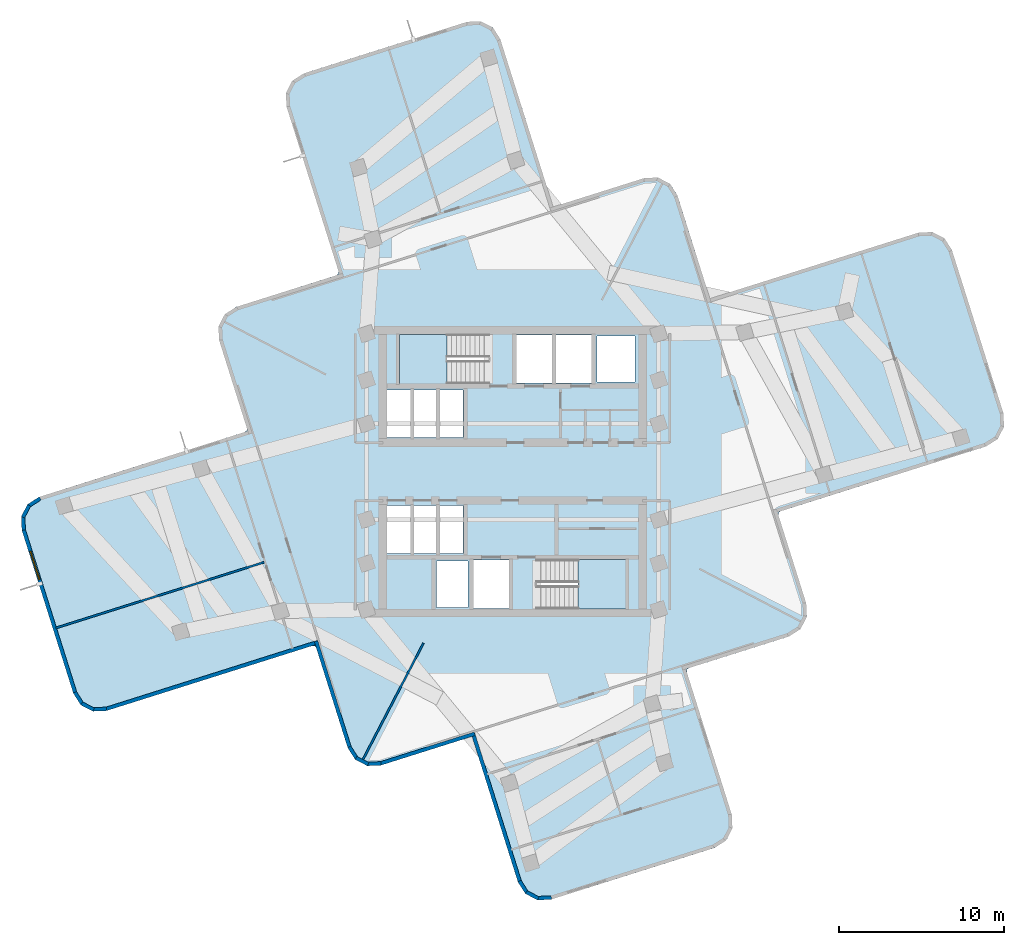
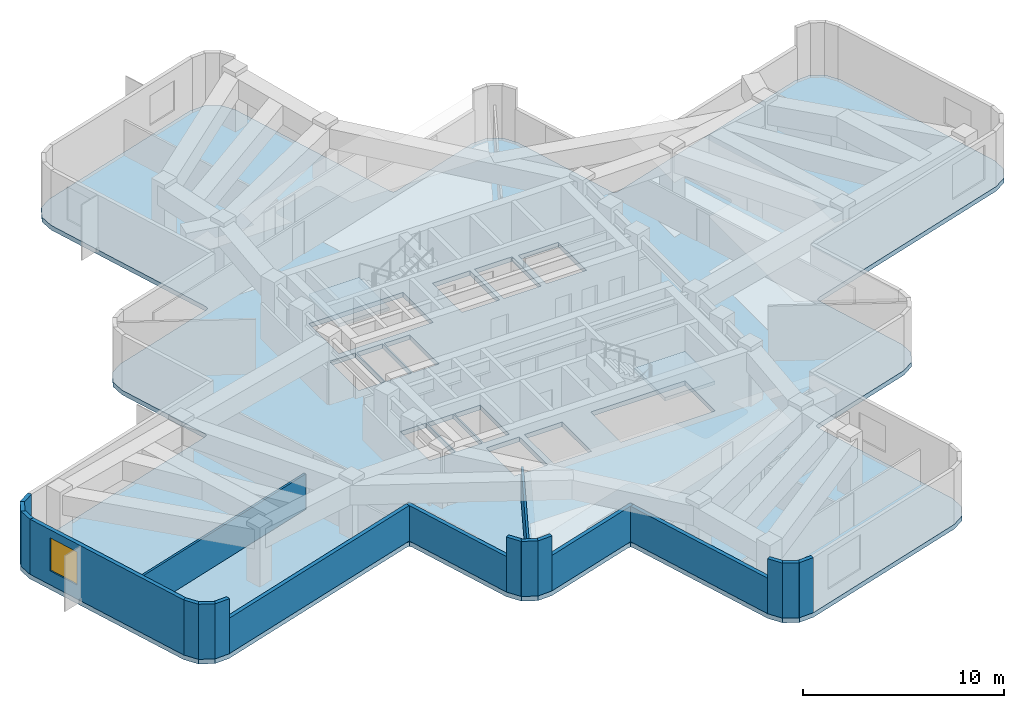
# One storey, part 2 of 8: 19 walls, 3 slabs, 1 window, 1 opening, 2 elements without a shape of their own.
"""IFC4 building model written with IfcOpenShell, lengths in metres."""

import ifcopenshell
import ifcopenshell.guid

model = None  # the IFC model being written
_history = None  # IfcOwnerHistory: only IFC2X3 demands one
_inside = {}  # id of a spatial element -> (the spatial element, [elements in it])
_under = {}  # id of a project, library or spatial element -> (it, [spatial elements below it])
_declared = {}  # id of a project -> (the project, [libraries it declares])
_typed = {}  # id of a type object -> (the type object, [elements of that type])
_made_of = {}  # id of a material, layer set ... -> (it, [elements and type objects made of it])


def new_model(schema):
    """Start an empty IFC model of exactly this schema.

    Asked for "IFC4X3", IfcOpenShell would pick the latest addendum, in which some entities
    have other attributes; the version numbers below select the first issue.
    IFC2X3 requires an IfcOwnerHistory on every rooted entity: one is made here for all.
    """
    global model, _history
    if schema == "IFC4X3":
        model = ifcopenshell.file(schema_version=(4, 3, 0, 0))
    else:
        model = ifcopenshell.file(schema=schema)
    _inside.clear()
    _under.clear()
    _declared.clear()
    _typed.clear()
    _made_of.clear()
    _history = None
    if model.schema == "IFC2X3":
        org = make("IfcOrganization", Name="unknown")
        user = make(
            "IfcPersonAndOrganization",
            ThePerson=make("IfcPerson", FamilyName="unknown"),
            TheOrganization=org,
        )
        app = make(
            "IfcApplication",
            ApplicationDeveloper=org,
            Version="unknown",
            ApplicationFullName="unknown",
            ApplicationIdentifier="unknown",
        )
        _history = make(
            "IfcOwnerHistory",
            OwningUser=user,
            OwningApplication=app,
            ChangeAction="ADDED",
            CreationDate=0,
        )
    return model


def make(cls, **values):
    """One entity of the class cls with the attributes given. An attribute that is None is left unset."""
    return model.create_entity(
        cls, **{name: value for name, value in values.items() if value is not None}
    )


def rooted(cls, **values):
    """An entity with a GlobalId (a new one), such as an element, a storey or a relation."""
    return make(cls, GlobalId=ifcopenshell.guid.new(), OwnerHistory=_history, **values)


def si_unit(unit_type, name, prefix=None):
    """IfcSIUnit, for example si_unit("LENGTHUNIT", "METRE", prefix="MILLI")."""
    return make("IfcSIUnit", UnitType=unit_type, Prefix=prefix, Name=name)


def assignment(units):
    """IfcUnitAssignment: the units of a project."""
    return None if units is None else make("IfcUnitAssignment", Units=units)


def point(xyz):
    """IfcCartesianPoint."""
    return None if xyz is None else make("IfcCartesianPoint", Coordinates=xyz)


def direction(xyz):
    """IfcDirection."""
    return None if xyz is None else make("IfcDirection", DirectionRatios=xyz)


def frame(location, z_axis=None, x_axis=None):
    """IfcAxis2Placement3D, a coordinate frame: its origin and axes. An axis left out is left unset."""
    return make(
        "IfcAxis2Placement3D",
        Location=point(location),
        Axis=direction(z_axis),
        RefDirection=direction(x_axis),
    )


def frame_2d(location, x_axis=None):
    """IfcAxis2Placement2D, a coordinate frame in the plane: its origin and x axis."""
    return make(
        "IfcAxis2Placement2D", Location=point(location), RefDirection=direction(x_axis)
    )


def origin():
    """The frame at (0, 0, 0) with its axes left unset."""
    return frame((0.0, 0.0, 0.0))


def place(relative_to, where):
    """IfcLocalPlacement: puts the frame where relative to a parent placement (None: the world)."""
    return make(
        "IfcLocalPlacement", PlacementRelTo=relative_to, RelativePlacement=where
    )


def context(
    kind, dimensions, precision=None, world=None, true_north=None, identifier=None
):
    """IfcGeometricRepresentationContext, for example the 3D "Model" context."""
    return make(
        "IfcGeometricRepresentationContext",
        ContextIdentifier=identifier,
        ContextType=kind,
        CoordinateSpaceDimension=dimensions,
        Precision=precision,
        WorldCoordinateSystem=world,
        TrueNorth=true_north,
    )


def subcontext(parent, identifier, kind, view, scale=None):
    """IfcGeometricRepresentationSubContext, for example "Body" below "Model"."""
    return make(
        "IfcGeometricRepresentationSubContext",
        ContextIdentifier=identifier,
        ContextType=kind,
        ParentContext=parent,
        TargetScale=scale,
        TargetView=view,
    )


def project(units=None, contexts=None):
    """IfcProject with its units and contexts."""
    return rooted(
        "IfcProject",
        Name="project",
        RepresentationContexts=contexts,
        UnitsInContext=assignment(units),
    )


def spatial(cls, under=None, at=None, **own):
    """A site, building, storey or space (cls), placed at a placement, below another one or the project."""
    s = rooted(cls, ObjectPlacement=at, **own)
    if under is not None:
        _under.setdefault(under.id(), (under, []))[1].append(s)
    return s


def polyline(points):
    """IfcPolyline through the points."""
    return make("IfcPolyline", Points=[point(p) for p in points])


def profile(cls, at=None, kind="AREA", **sizes):
    """A parametric profile (cls). Its sizes go by their IFC names, for example OverallWidth=200.0."""
    return make(cls, ProfileType=kind, Position=at, **sizes)


def rectangle(**sizes):
    """IfcRectangleProfileDef."""
    return profile("IfcRectangleProfileDef", **sizes)


def outline(outer, holes=None, kind="AREA"):
    """IfcArbitraryClosedProfileDef: a profile drawn as a closed curve; with holes, ...WithVoids."""
    if holes is None:
        return make("IfcArbitraryClosedProfileDef", ProfileType=kind, OuterCurve=outer)
    return make(
        "IfcArbitraryProfileDefWithVoids",
        ProfileType=kind,
        OuterCurve=outer,
        InnerCurves=holes,
    )


def extrude(swept, where, along, depth):
    """IfcExtrudedAreaSolid: the profile swept, set in the frame where, extruded along a direction by depth."""
    return make(
        "IfcExtrudedAreaSolid",
        SweptArea=swept,
        Position=where,
        ExtrudedDirection=direction(along),
        Depth=depth,
    )


def shape(context_of_items, identifier, shape_type, items):
    """IfcShapeRepresentation: the items that make up one representation, for example the "Body"."""
    return make(
        "IfcShapeRepresentation",
        ContextOfItems=context_of_items,
        RepresentationIdentifier=identifier,
        RepresentationType=shape_type,
        Items=items,
    )


def material(Name=None, Category=None):
    """IfcMaterial."""
    return make("IfcMaterial", Name=Name, Category=Category)


def layer(
    of_material, thickness, ventilated=None, Name=None, Category=None, Priority=None
):
    """IfcMaterialLayer: one layer of a wall or slab, of a material (None: an air gap)."""
    return make(
        "IfcMaterialLayer",
        Material=of_material,
        LayerThickness=thickness,
        IsVentilated=ventilated,
        Name=Name,
        Category=Category,
        Priority=Priority,
    )


def layer_set(layers, Name=None):
    """IfcMaterialLayerSet."""
    return make("IfcMaterialLayerSet", MaterialLayers=layers, LayerSetName=Name)


def made_of(thing, what):
    """Note that an element or type object is made of a material, layer set ...; save() writes the relation."""
    if what is not None:
        _made_of.setdefault(what.id(), (what, []))[1].append(thing)
    return thing


def type_object(cls, material=None, **own):
    """A type object (cls), such as IfcWallType, which elements share."""
    return made_of(rooted(cls, **own), material)


def element(
    cls,
    number,
    at=None,
    inside=None,
    cuts=None,
    type_object=None,
    material=None,
    context=None,
    identifier="Body",
    shape_type=None,
    held_by="IfcProductDefinitionShape",
    body=None,
    shapes=None,
    **own,
):
    """One element of the class cls, such as IfcWall. Its Tag is "e" and its number.

    at: its placement. inside: the storey or other place that contains it. cuts: it is an
    opening in that element (IfcRelVoidsElement). A single representation is given by context,
    identifier, shape_type and body (its items); several are given by shapes. held_by: the class
    of the entity that holds the representations. save() writes the other relations.
    """
    e = rooted(cls, Tag="e%d" % number, ObjectPlacement=at, **own)
    if body is not None:
        shapes = [shape(context, identifier, shape_type, body)]
    if shapes is not None:
        e.Representation = make(held_by, Representations=shapes)
    if inside is not None:
        _inside.setdefault(inside.id(), (inside, []))[1].append(e)
    if cuts is not None:
        rooted(
            "IfcRelVoidsElement", RelatingBuildingElement=cuts, RelatedOpeningElement=e
        )
    if type_object is not None:
        _typed.setdefault(type_object.id(), (type_object, []))[1].append(e)
    return made_of(e, material)


def fill(opening, filler):
    """IfcRelFillsElement: the door or window that sits in an opening."""
    return rooted(
        "IfcRelFillsElement",
        RelatingOpeningElement=opening,
        RelatedBuildingElement=filler,
    )


def aggregate(whole, parts):
    """IfcRelAggregates: a whole, such as a stair, and the parts it consists of."""
    return rooted("IfcRelAggregates", RelatingObject=whole, RelatedObjects=parts)


def save(model, path):
    """Write the relations noted so far, then the file.

    IfcRelAggregates (storeys below a building ...), IfcRelContainedInSpatialStructure (elements
    in a storey), IfcRelDefinesByType, IfcRelAssociatesMaterial and IfcRelDeclares: one each for
    every whole, place, type object, material and project.
    """
    for whole, parts in _under.values():
        aggregate(whole, parts)
    for where, things in _inside.values():
        rooted(
            "IfcRelContainedInSpatialStructure",
            RelatedElements=things,
            RelatingStructure=where,
        )
    for kind, things in _typed.values():
        rooted("IfcRelDefinesByType", RelatedObjects=things, RelatingType=kind)
    for what, things in _made_of.values():
        rooted("IfcRelAssociatesMaterial", RelatedObjects=things, RelatingMaterial=what)
    for by, libraries in _declared.values():
        rooted("IfcRelDeclares", RelatingContext=by, RelatedDefinitions=libraries)
    model.write(path)


model = new_model("IFC4")

# Units and contexts
model_context = context("Model", 3, precision=1e-05, world=origin(), true_north=direction((0.0, 1.0)))
body_context = subcontext(model_context, "Body", "Model", "MODEL_VIEW")
ifc_project = project(units=[si_unit("LENGTHUNIT", "METRE"), si_unit("AREAUNIT", "SQUARE_METRE"), si_unit("VOLUMEUNIT", "CUBIC_METRE"), si_unit("PLANEANGLEUNIT", "RADIAN"), si_unit("MASSUNIT", "GRAM", prefix="KILO")], contexts=[model_context])

# Site, building, storey
site_placement = place(None, origin())
site = spatial("IfcSite", under=ifc_project, at=site_placement, CompositionType="ELEMENT")
building_placement = place(site_placement, origin())
building = spatial("IfcBuilding", under=site, at=building_placement, Name="Solmarez Civic Tower", CompositionType="ELEMENT")
storey_placement = place(building_placement, frame((0.0, 0.0, 152.280029296875)))
storey = spatial("IfcBuildingStorey", under=building, at=storey_placement, Name="L40", CompositionType="ELEMENT", Elevation=152.280029296875)

# Stair, slab
ifc_material_1 = material(Name="Concrete C50/60", Category="concrete")
stair_type = type_object("IfcStairType", Name="STAIR-DOGLEG-140W-20R-1800", PredefinedType="HALF_TURN_STAIR", material=ifc_material_1)
stair_1_placement = place(storey_placement, origin())
stair_1 = element("IfcStair", 1, at=stair_1_placement, inside=storey, type_object=stair_type, Name="L40 North Core Protected Exit Stair ST-1", PredefinedType="HALF_TURN_STAIR")
ifc_layer_1 = layer(ifc_material_1, 0.199951171875)
ifc_layer_set_1 = layer_set([ifc_layer_1], Name="Concrete C50/60")
slab_type_1 = type_object("IfcSlabType", Name="SLAB-LANDING-200", PredefinedType="LANDING", material=ifc_layer_set_1)
slab_1_placement = place(storey_placement, frame((0.0, 0.0, 1.599853515625)))
slab_1 = element("IfcSlab", 2, at=slab_1_placement, type_object=slab_type_1, Name="ST-1 landing 1", PredefinedType="LANDING", context=body_context, shape_type="SweptSolid", body=[
    extrude(outline(polyline([(-3.969970703125, 8.320068359375), (-6.85009765625, 8.320068359375), (-6.85009765625, 5.320068359375), (-3.969970703125, 5.320068359375), (-3.969970703125, 8.320068359375)])), origin(), (0.0, 0.0, 1.0), 0.2001953125),
])
aggregate(stair_1, [slab_1])

stair_2_placement = place(storey_placement, origin())
stair_2 = element("IfcStair", 3, at=stair_2_placement, inside=storey, type_object=stair_type, Name="L40 South Core Protected Exit Stair ST-2", PredefinedType="HALF_TURN_STAIR")
slab_2_placement = place(storey_placement, frame((0.0, 0.0, 1.599853515625)))
slab_2 = element("IfcSlab", 4, at=slab_2_placement, type_object=slab_type_1, Name="ST-2 landing 1", PredefinedType="LANDING", context=body_context, shape_type="SweptSolid", body=[
    extrude(outline(polyline([(3.969970703125, -8.320068359375), (6.85009765625, -8.320068359375), (6.85009765625, -5.320068359375), (3.969970703125, -5.320068359375), (3.969970703125, -8.320068359375)])), origin(), (0.0, 0.0, 1.0), 0.2001953125),
])
aggregate(stair_2, [slab_2])

# Slab
ifc_layer_2 = layer(ifc_material_1, 0.280029296875)
ifc_layer_set_2 = layer_set([ifc_layer_2], Name="Concrete C50/60")
slab_type_2 = type_object("IfcSlabType", Name="SLAB-TOWER-280", PredefinedType="FLOOR", material=ifc_layer_set_2)
slab_3_placement = place(storey_placement, frame((0.0, 0.0, -0.280029296875)))
element("IfcSlab", 5, at=slab_3_placement, inside=storey, type_object=slab_type_2, Name="L40 Structural Slab", PredefinedType="FLOOR", context=body_context, shape_type="SweptSolid", body=[
    extrude(outline(polyline([(-11.885009765625, -10.68408203125), (-9.97705078125, -16.72900390625), (-9.531005859375, -17.427978515625), (-8.797119140625, -17.81005859375), (-7.968994140625, -17.77392578125), (-2.657958984375, -16.096923828125), (-2.486083984375, -16.089111328125), (-2.39404296875, -16.23388671875), (0.326904296875, -24.85400390625), (0.77294921875, -25.552978515625), (1.507080078125, -25.93505859375), (2.3349609375, -25.89892578125), (12.22412109375, -22.777099609375), (12.922119140625, -22.33203125), (13.303955078125, -21.596923828125), (13.26806640625, -20.76904296875), (10.547119140625, -12.14892578125), (10.5390625, -11.97705078125), (10.68408203125, -11.885009765625), (16.72900390625, -9.97705078125), (17.427978515625, -9.531005859375), (17.81005859375, -8.797119140625), (17.77392578125, -7.968994140625), (16.096923828125, -2.657958984375), (16.089111328125, -2.486083984375), (16.23388671875, -2.39404296875), (28.6689453125, 1.531005859375), (29.366943359375, 1.97705078125), (29.7490234375, 2.7109375), (29.712890625, 3.5390625), (26.591064453125, 13.427978515625), (26.14599609375, 14.1259765625), (25.410888671875, 14.508056640625), (24.583984375, 14.471923828125), (12.14892578125, 10.547119140625), (11.97705078125, 10.5390625), (11.885009765625, 10.68408203125), (9.97705078125, 16.72900390625), (9.531005859375, 17.427978515625), (8.797119140625, 17.81005859375), (7.968994140625, 17.77392578125), (2.657958984375, 16.096923828125), (2.486083984375, 16.089111328125), (2.39404296875, 16.23388671875), (-0.7490234375, 26.18896484375), (-1.194091796875, 26.887939453125), (-1.928955078125, 27.27001953125), (-2.756103515625, 27.23388671875), (-12.64501953125, 24.112060546875), (-13.343994140625, 23.6669921875), (-13.72607421875, 22.931884765625), (-13.68896484375, 22.10400390625), (-10.547119140625, 12.14892578125), (-10.5390625, 11.97705078125), (-10.68408203125, 11.885009765625), (-16.72900390625, 9.97705078125), (-17.427978515625, 9.531005859375), (-17.81005859375, 8.797119140625), (-17.77392578125, 7.968994140625), (-16.096923828125, 2.657958984375), (-16.089111328125, 2.486083984375), (-16.23388671875, 2.39404296875), (-28.6689453125, -1.531005859375), (-29.366943359375, -1.97705078125), (-29.7490234375, -2.7109375), (-29.712890625, -3.5390625), (-26.591064453125, -13.427978515625), (-26.14599609375, -14.1259765625), (-25.410888671875, -14.508056640625), (-24.583984375, -14.471923828125), (-12.14892578125, -10.547119140625), (-11.97705078125, -10.5390625), (-11.885009765625, -10.68408203125)]), holes=[polyline([(-1.449951171875, 8.320068359375), (-6.85009765625, 8.320068359375), (-6.85009765625, 5.320068359375), (-1.449951171875, 5.320068359375), (-1.449951171875, 8.320068359375)]), polyline([(1.449951171875, -8.320068359375), (6.85009765625, -8.320068359375), (6.85009765625, -5.320068359375), (1.449951171875, -5.320068359375), (1.449951171875, -8.320068359375)]), polyline([(0.219970703125, 5.360107421875), (2.3798828125, 5.360107421875), (2.3798828125, 8.280029296875), (0.219970703125, 8.280029296875), (0.219970703125, 5.360107421875)]), polyline([(2.6201171875, 5.360107421875), (4.780029296875, 5.360107421875), (4.780029296875, 8.280029296875), (2.6201171875, 8.280029296875), (2.6201171875, 5.360107421875)]), polyline([(-2.3798828125, -8.280029296875), (-0.219970703125, -8.280029296875), (-0.219970703125, -5.360107421875), (-2.3798828125, -5.360107421875), (-2.3798828125, -8.280029296875)]), polyline([(-7.60009765625, -4.9599609375), (-6.1201171875, -4.9599609375), (-6.1201171875, -2.06005859375), (-7.60009765625, -2.06005859375), (-7.60009765625, -4.9599609375)]), polyline([(-6.0400390625, -4.9599609375), (-4.56005859375, -4.9599609375), (-4.56005859375, -2.06005859375), (-6.0400390625, -2.06005859375), (-6.0400390625, -4.9599609375)]), polyline([(-4.47998046875, -4.9599609375), (-3.0, -4.9599609375), (-3.0, -2.06005859375), (-4.47998046875, -2.06005859375), (-4.47998046875, -4.9599609375)]), polyline([(-7.60009765625, 2.06005859375), (-6.1201171875, 2.06005859375), (-6.1201171875, 4.9599609375), (-7.60009765625, 4.9599609375), (-7.60009765625, 2.06005859375)]), polyline([(-6.0400390625, 2.06005859375), (-4.56005859375, 2.06005859375), (-4.56005859375, 4.9599609375), (-6.0400390625, 4.9599609375), (-6.0400390625, 2.06005859375)]), polyline([(-4.47998046875, 2.06005859375), (-3.0, 2.06005859375), (-3.0, 4.9599609375), (-4.47998046875, 4.9599609375), (-4.47998046875, 2.06005859375)]), polyline([(5.10009765625, 5.419921875), (7.39990234375, 5.419921875), (7.39990234375, 8.219970703125), (5.10009765625, 8.219970703125), (5.10009765625, 5.419921875)]), polyline([(-4.60009765625, -8.219970703125), (-2.699951171875, -8.219970703125), (-2.699951171875, -5.419921875), (-4.60009765625, -5.419921875), (-4.60009765625, -8.219970703125)])]), origin(), (0.0, 0.0, 1.0), 0.280029296875),
])

# Walls
ifc_material_2 = material(Name="Precast concrete C40/50", Category="concrete")
ifc_layer_3 = layer(ifc_material_2, 0.219970703125)
ifc_layer_set_3 = layer_set([ifc_layer_3], Name="Precast concrete C40/50")
wall_type_1 = type_object("IfcWallType", Name="WALL-EXT-220", PredefinedType="SOLIDWALL", material=ifc_layer_set_3)
wall_1_placement = place(storey_placement, frame((-11.7919921875, -10.319091796875, 0.0), z_axis=(0.0, 0.0, 1.0), x_axis=(-0.953607060649, -0.301054104573, 0.0)))
element("IfcWall", 6, at=wall_1_placement, inside=storey, type_object=wall_type_1, Name="L40 Exterior Precast Wall 2", PredefinedType="SOLIDWALL", context=body_context, shape_type="SweptSolid", body=[
    extrude(rectangle(XDim=13.45947265625, YDim=0.219970703125, at=frame_2d((6.729736328125, 0.0))), origin(), (0.0, 0.0, 1.0), 2.15185546875),
])
wall_2_placement = place(storey_placement, frame((-24.577880859375, -14.362060546875, 0.0), z_axis=(0.0, 0.0, 1.0), x_axis=(-0.999075913973, -0.042980438793, 0.0)))
element("IfcWall", 7, at=wall_2_placement, inside=storey, type_object=wall_type_1, Name="L40 Exterior Precast Wall 3", PredefinedType="SOLIDWALL", context=body_context, shape_type="SweptSolid", body=[
    extrude(rectangle(XDim=0.8349609375, YDim=0.219970703125, at=frame_2d((0.41748046875, 0.0))), origin(), (0.0, 0.0, 1.0), 3.340087890625),
])
wall_3_placement = place(storey_placement, frame((-25.364990234375, -14.408935546875, 0.0), z_axis=(0.0, 0.0, 1.0), x_axis=(-0.886542320322, 0.462647505427, 0.0)))
element("IfcWall", 8, at=wall_3_placement, inside=storey, type_object=wall_type_1, Name="L40 Exterior Precast Wall 4", PredefinedType="SOLIDWALL", context=body_context, shape_type="SweptSolid", body=[
    extrude(rectangle(XDim=0.819091796875, YDim=0.219970703125, at=frame_2d((0.40966796875, 0.0))), origin(), (0.0, 0.0, 1.0), 3.340087890625),
])
wall_4_placement = place(storey_placement, frame((-26.055908203125, -14.06298828125, 0.0), z_axis=(0.0, 0.0, 1.0), x_axis=(-0.537481840432, 0.843275323489, 0.0)))
element("IfcWall", 9, at=wall_4_placement, inside=storey, type_object=wall_type_1, Name="L40 Exterior Precast Wall 5", PredefinedType="SOLIDWALL", context=body_context, shape_type="SweptSolid", body=[
    extrude(rectangle(XDim=0.83349609375, YDim=0.219970703125, at=frame_2d((0.416748046875, 0.0))), origin(), (0.0, 0.0, 1.0), 3.340087890625),
])

# Wall, opening, window
wall_5_placement = place(storey_placement, frame((-26.48291015625, -13.405029296875, 0.0), z_axis=(0.0, 0.0, 1.0), x_axis=(-0.301132492372, 0.953582310049, 0.0)))
wall_5 = element("IfcWall", 10, at=wall_5_placement, inside=storey, type_object=wall_type_1, Name="L40 Exterior Precast Wall 6", PredefinedType="SOLIDWALL", context=body_context, shape_type="SweptSolid", body=[
    extrude(rectangle(XDim=10.391357421875, YDim=0.219970703125, at=frame_2d((5.19580078125, 0.0))), origin(), (0.0, 0.0, 1.0), 3.340087890625),
])
opening_placement = place(wall_5_placement, frame((7.205078125, 0.0, 0.85009765625)))
opening = element("IfcOpeningElement", 11, at=opening_placement, cuts=wall_5, Name="Opening W-04", PredefinedType="OPENING", context=body_context, shape_type="SweptSolid", body=[
    extrude(rectangle(XDim=1.800048828125, YDim=2.0, at=frame_2d((0.89990234375, 1.0))), frame((0.0, 0.119873046875, 0.0), z_axis=(0.0, -1.0, 0.0), x_axis=(1.0, 0.0, 0.0)), (0.0, 0.0, 1.0), 0.239990234375),
])
ifc_material_3 = material(Name="Solar Control Bronze-Tinted Insulating Glass", Category="glass")
window_type = type_object("IfcWindowType", Name="WIN-1800X2000", PartitioningType="SINGLE_PANEL", PredefinedType="WINDOW", material=ifc_material_3)
window_placement = place(opening_placement, origin())
window = element("IfcWindow", 12, at=window_placement, inside=storey, type_object=window_type, Name="L40 Exterior Facade Window 6", OverallHeight=2.0, OverallWidth=1.800048828125, PartitioningType="SINGLE_PANEL", PredefinedType="WINDOW", context=body_context, shape_type="SweptSolid", body=[
    extrude(rectangle(XDim=1.800048828125, YDim=2.0, at=frame_2d((0.89990234375, 1.0))), frame((0.0, 0.030029296875, 0.0), z_axis=(0.0, -1.0, 0.0), x_axis=(1.0, 0.0, 0.0)), (0.0, 0.0, 1.0), 0.06005859375),
])
fill(opening, window)

# Walls
wall_6_placement = place(storey_placement, frame((-29.60302734375, -3.544921875, 0.0), z_axis=(0.0, 0.0, 1.0), x_axis=(-0.042992997635, 0.99907537361, 0.0)))
element("IfcWall", 13, at=wall_6_placement, inside=storey, type_object=wall_type_1, Name="L40 Exterior Precast Wall 7", PredefinedType="SOLIDWALL", context=body_context, shape_type="SweptSolid", body=[
    extrude(rectangle(XDim=0.834716796875, YDim=0.219970703125, at=frame_2d((0.41748046875, 0.0))), origin(), (0.0, 0.0, 1.0), 3.340087890625),
])
wall_7_placement = place(storey_placement, frame((-29.64990234375, -2.758056640625, 0.0), z_axis=(0.0, 0.0, 1.0), x_axis=(0.462647505427, 0.886542320322, 0.0)))
element("IfcWall", 14, at=wall_7_placement, inside=storey, type_object=wall_type_1, Name="L40 Exterior Precast Wall 8", PredefinedType="SOLIDWALL", context=body_context, shape_type="SweptSolid", body=[
    extrude(rectangle(XDim=0.819091796875, YDim=0.219970703125, at=frame_2d((0.40966796875, 0.0))), origin(), (0.0, 0.0, 1.0), 3.340087890625),
])
wall_8_placement = place(storey_placement, frame((-29.303955078125, -2.06689453125, 0.0), z_axis=(0.0, 0.0, 1.0), x_axis=(0.843275323489, 0.537481840432, 0.0)))
element("IfcWall", 15, at=wall_8_placement, inside=storey, type_object=wall_type_1, Name="L40 Exterior Precast Wall 9", PredefinedType="SOLIDWALL", context=body_context, shape_type="SweptSolid", body=[
    extrude(rectangle(XDim=0.83349609375, YDim=0.219970703125, at=frame_2d((0.416748046875, 0.0))), origin(), (0.0, 0.0, 1.0), 3.340087890625),
])
wall_9_placement = place(storey_placement, frame((2.340087890625, -25.7880859375, 0.0), z_axis=(0.0, 0.0, 1.0), x_axis=(-0.999022158458, -0.044212293648, 0.0)))
element("IfcWall", 16, at=wall_9_placement, inside=storey, type_object=wall_type_1, Name="L40 Exterior Precast Wall 61", PredefinedType="SOLIDWALL", context=body_context, shape_type="SweptSolid", body=[
    extrude(rectangle(XDim=0.833740234375, YDim=0.219970703125, at=frame_2d((0.4169921875, 0.0))), origin(), (0.0, 0.0, 1.0), 3.340087890625),
])
wall_10_placement = place(storey_placement, frame((1.553955078125, -25.8359375, 0.0), z_axis=(0.0, 0.0, 1.0), x_axis=(-0.886797138652, 0.462158884885, 0.0)))
element("IfcWall", 17, at=wall_10_placement, inside=storey, type_object=wall_type_1, Name="L40 Exterior Precast Wall 62", PredefinedType="SOLIDWALL", context=body_context, shape_type="SweptSolid", body=[
    extrude(rectangle(XDim=0.81982421875, YDim=0.219970703125, at=frame_2d((0.409912109375, 0.0))), origin(), (0.0, 0.0, 1.0), 3.340087890625),
])
wall_11_placement = place(storey_placement, frame((0.862060546875, -25.489990234375, 0.0), z_axis=(0.0, 0.0, 1.0), x_axis=(-0.535984955812, 0.844227532803, 0.0)))
element("IfcWall", 18, at=wall_11_placement, inside=storey, type_object=wall_type_1, Name="L40 Exterior Precast Wall 63", PredefinedType="SOLIDWALL", context=body_context, shape_type="SweptSolid", body=[
    extrude(rectangle(XDim=0.833984375, YDim=0.219970703125, at=frame_2d((0.4169921875, 0.0))), origin(), (0.0, 0.0, 1.0), 3.340087890625),
])
wall_12_placement = place(storey_placement, frame((0.43603515625, -24.8310546875, 0.0), z_axis=(0.0, 0.0, 1.0), x_axis=(-0.301016470916, 0.953618940792, 0.0)))
element("IfcWall", 19, at=wall_12_placement, inside=storey, type_object=wall_type_1, Name="L40 Exterior Precast Wall 64", PredefinedType="SOLIDWALL", context=body_context, shape_type="SweptSolid", body=[
    extrude(rectangle(XDim=9.457763671875, YDim=0.219970703125, at=frame_2d((4.72900390625, 0.0))), origin(), (0.0, 0.0, 1.0), 2.15185546875),
])
wall_13_placement = place(storey_placement, frame((-2.301025390625, -15.8701171875, 0.0), z_axis=(0.0, 0.0, 1.0), x_axis=(-0.953652264112, -0.300910882413, 0.0)))
element("IfcWall", 20, at=wall_13_placement, inside=storey, type_object=wall_type_1, Name="L40 Exterior Precast Wall 67", PredefinedType="SOLIDWALL", context=body_context, shape_type="SweptSolid", body=[
    extrude(rectangle(XDim=5.988525390625, YDim=0.219970703125, at=frame_2d((2.994140625, 0.0))), origin(), (0.0, 0.0, 1.0), 2.15185546875),
])
wall_14_placement = place(storey_placement, frame((-7.962890625, -17.6630859375, 0.0), z_axis=(0.0, 0.0, 1.0), x_axis=(-0.99902501388, -0.044147725226, 0.0)))
element("IfcWall", 21, at=wall_14_placement, inside=storey, type_object=wall_type_1, Name="L40 Exterior Precast Wall 68", PredefinedType="SOLIDWALL", context=body_context, shape_type="SweptSolid", body=[
    extrude(rectangle(XDim=0.8349609375, YDim=0.219970703125, at=frame_2d((0.41748046875, 0.0))), origin(), (0.0, 0.0, 1.0), 3.340087890625),
])
wall_15_placement = place(storey_placement, frame((-8.75, -17.7109375, 0.0), z_axis=(0.0, 0.0, 1.0), x_axis=(-0.886542320322, 0.462647505427, 0.0)))
element("IfcWall", 22, at=wall_15_placement, inside=storey, type_object=wall_type_1, Name="L40 Exterior Precast Wall 69", PredefinedType="SOLIDWALL", context=body_context, shape_type="SweptSolid", body=[
    extrude(rectangle(XDim=0.819091796875, YDim=0.219970703125, at=frame_2d((0.40966796875, 0.0))), origin(), (0.0, 0.0, 1.0), 3.340087890625),
])
wall_16_placement = place(storey_placement, frame((-9.44091796875, -17.364990234375, 0.0), z_axis=(0.0, 0.0, 1.0), x_axis=(-0.536818702975, 0.84369762364, 0.0)))
element("IfcWall", 23, at=wall_16_placement, inside=storey, type_object=wall_type_1, Name="L40 Exterior Precast Wall 70", PredefinedType="SOLIDWALL", context=body_context, shape_type="SweptSolid", body=[
    extrude(rectangle(XDim=0.83447265625, YDim=0.219970703125, at=frame_2d((0.417236328125, 0.0))), origin(), (0.0, 0.0, 1.0), 3.340087890625),
])
wall_17_placement = place(storey_placement, frame((-9.867919921875, -16.7060546875, 0.0), z_axis=(0.0, 0.0, 1.0), x_axis=(-0.300982683852, 0.953629605256, 0.0)))
element("IfcWall", 24, at=wall_17_placement, inside=storey, type_object=wall_type_1, Name="L40 Exterior Precast Wall 71", PredefinedType="SOLIDWALL", context=body_context, shape_type="SweptSolid", body=[
    extrude(rectangle(XDim=6.758544921875, YDim=0.219970703125, at=frame_2d((3.37939453125, 0.0))), origin(), (0.0, 0.0, 1.0), 2.15185546875),
])
ifc_material_4 = material(Name="Gypsum Board Acoustic Steel-Stud Partition", Category="steel")
ifc_layer_4 = layer(ifc_material_4, 0.1201171875)
ifc_layer_set_4 = layer_set([ifc_layer_4], Name="Gypsum Board Acoustic Steel-Stud Partition")
wall_type_2 = type_object("IfcWallType", Name="WALL-INT-PART-120", PredefinedType="PARTITIONING", material=ifc_layer_set_4)
wall_18_placement = place(storey_placement, frame((-5.39794921875, -10.3798828125, 0.0), z_axis=(0.0, 0.0, 1.0), x_axis=(-0.461434665806, -0.887174193263, 0.0)))
element("IfcWall", 25, at=wall_18_placement, inside=storey, type_object=wall_type_2, Name="L40 Interior Partition PT-L40-QDIV-3", PredefinedType="PARTITIONING", context=body_context, shape_type="SweptSolid", body=[
    extrude(rectangle(XDim=7.97509765625, YDim=0.1201171875, at=frame_2d((3.987548828125, 0.0))), origin(), (0.0, 0.0, 1.0), 2.15185546875),
])
wall_19_placement = place(storey_placement, frame((-15.047119140625, -5.48388671875, 0.0), z_axis=(0.0, 0.0, 1.0), x_axis=(-0.95359383289, -0.301096001093, 0.0)))
element("IfcWall", 26, at=wall_19_placement, inside=storey, type_object=wall_type_2, Name="L40 Interior Partition PT-L40-W-TM3", PredefinedType="PARTITIONING", context=body_context, shape_type="SweptSolid", body=[
    extrude(rectangle(XDim=13.215087890625, YDim=0.1201171875, at=frame_2d((6.607421875, 0.0))), origin(), (0.0, 0.0, 1.0), 2.15185546875),
])

save(model, "model.ifc")
